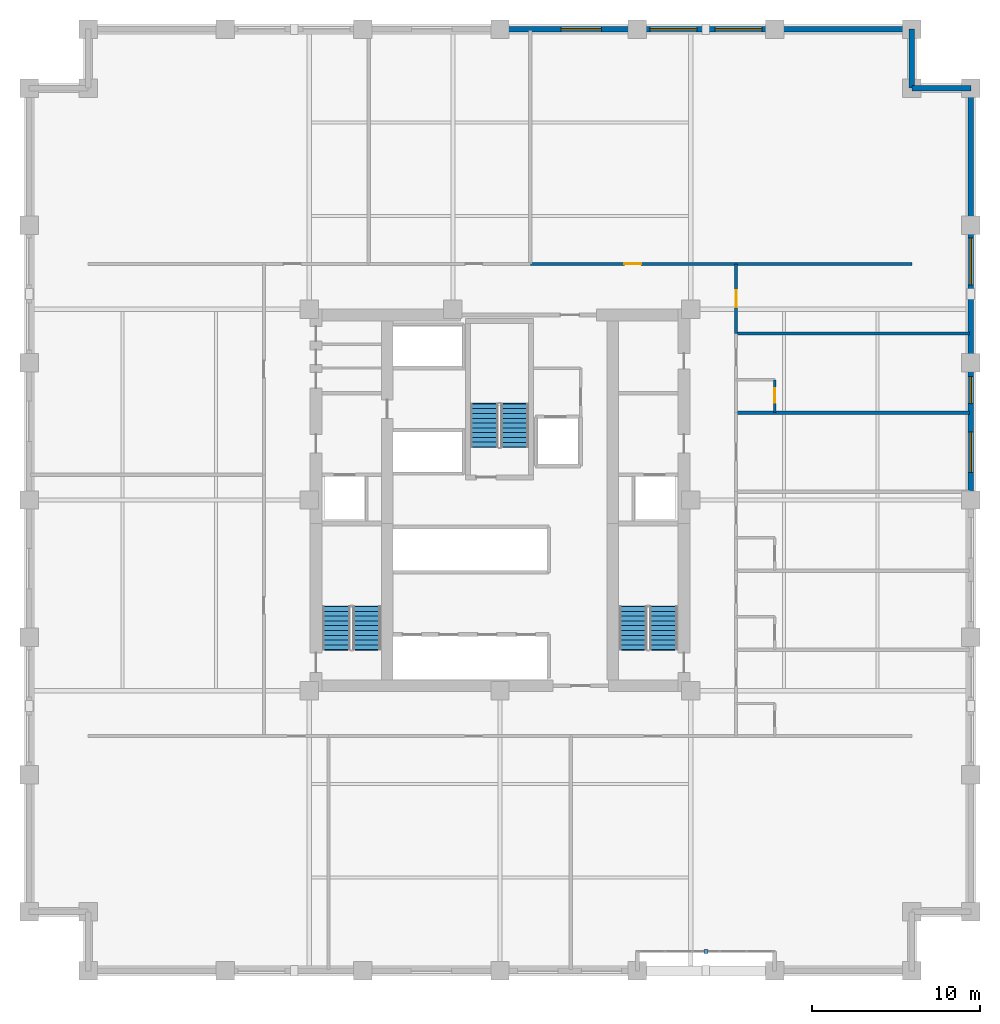
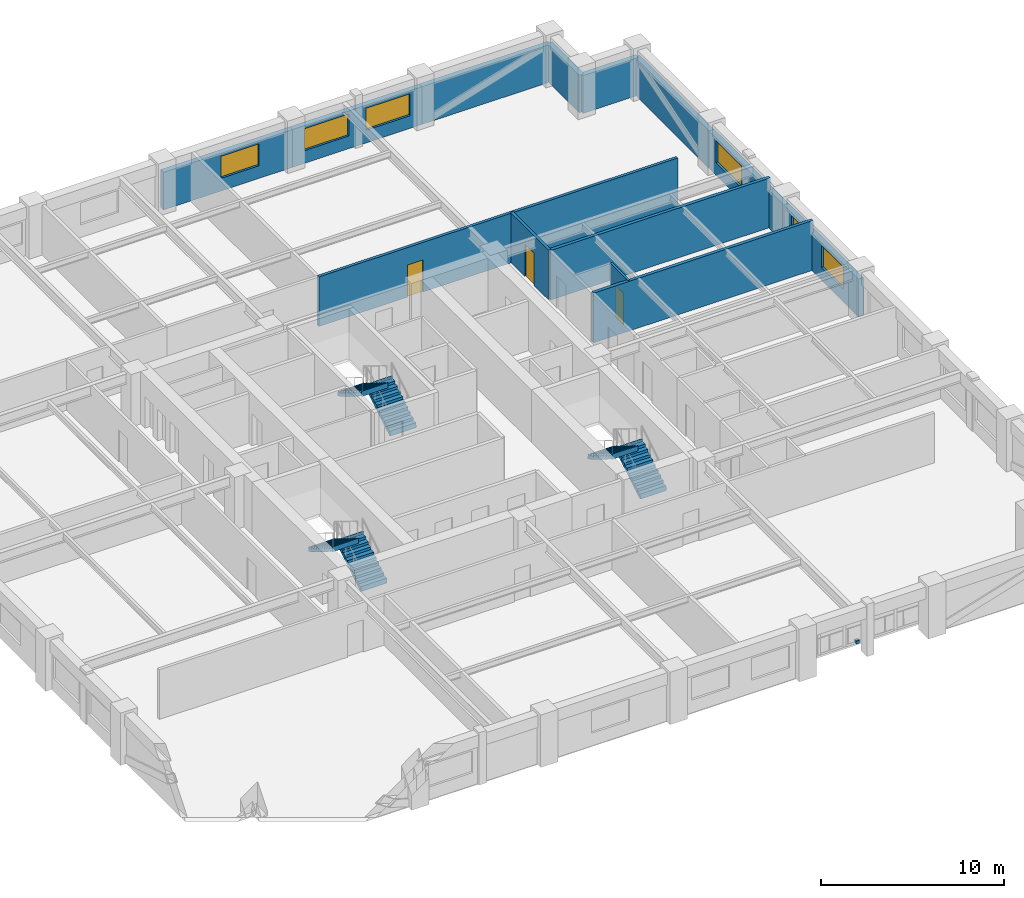
# One storey, part 7 of 9: 13 walls, 6 stair flights, 6 windows, 3 doors, 1 discrete accessory, 9 openings, 3 elements without a shape of their own.
"""IFC4 building model written with IfcOpenShell, lengths in metres."""

from ifc_helpers import new_model, si_unit, direction, frame, frame_2d, origin, origin_2d, place, context, subcontext, project, spatial, polyline, rectangle, outline, extrude, material, layer, layer_set, type_object, element, fill, aggregate, save


model = new_model("IFC4")

# Units and contexts
model_context = context("Model", 3, precision=1e-05, world=origin(), true_north=direction((0.0, 1.0)))
body_context = subcontext(model_context, "Body", "Model", "MODEL_VIEW")
ifc_project = project(units=[si_unit("LENGTHUNIT", "METRE"), si_unit("AREAUNIT", "SQUARE_METRE"), si_unit("VOLUMEUNIT", "CUBIC_METRE"), si_unit("PLANEANGLEUNIT", "RADIAN"), si_unit("MASSUNIT", "GRAM", prefix="KILO")], contexts=[model_context])

# Site, building, storey
site_placement = place(None, origin())
site = spatial("IfcSite", under=ifc_project, at=site_placement, CompositionType="ELEMENT")
building_placement = place(site_placement, origin())
building = spatial("IfcBuilding", under=site, at=building_placement, Name="Nhamokura Convention Tower", CompositionType="ELEMENT")
storey_placement = place(building_placement, frame((0.0, 0.0, 66.85009765625)))
storey = spatial("IfcBuildingStorey", under=building, at=storey_placement, Name="L15", CompositionType="ELEMENT", Elevation=66.85009765625)

# Wall, opening, door
ifc_material_1 = material(Name="Moisture-resistant tile-backer partition", Category="masonry")
ifc_layer_1 = layer(ifc_material_1, 0.139892578125)
ifc_layer_set_1 = layer_set([ifc_layer_1], Name="BathroomWetWall_140")
wall_type_1 = type_object("IfcWallType", Name="BathroomWetWall_140", PredefinedType="STANDARD", material=ifc_layer_set_1)
wall_1_placement = place(storey_placement, frame((48.35009765625, 37.199951171875, 0.0), z_axis=(0.0, 0.0, 1.0), x_axis=(0.0, 1.0, 0.0)))
wall_1 = element("IfcWall", 1, at=wall_1_placement, inside=storey, type_object=wall_type_1, Name="L15 Wall INT-L15-BW-E04E", PredefinedType="STANDARD", context=body_context, shape_type="SweptSolid", body=[
    extrude(rectangle(XDim=1.949951171875, YDim=0.139892578125, at=frame_2d((0.97509765625, 0.0))), origin(), (0.0, 0.0, 1.0), 3.31982421875),
])
opening_1_placement = place(wall_1_placement, frame((0.580078125, 0.0, 0.0)))
opening_1 = element("IfcOpeningElement", 2, at=opening_1_placement, cuts=wall_1, Name="Opening D-11", PredefinedType="OPENING", context=body_context, shape_type="SweptSolid", body=[
    extrude(rectangle(XDim=0.8798828125, YDim=2.10009765625, at=frame_2d((0.43994140625, 1.050048828125))), frame((0.0, 0.079833984375, 0.0), z_axis=(0.0, -1.0, 0.0), x_axis=(1.0, 0.0, 0.0)), (0.0, 0.0, 1.0), 0.159912109375),
])
ifc_material_2 = material(Name="Solid oak hardwood", Category="wood")
door_type_1 = type_object("IfcDoorType", Name="BathroomDoor_880", OperationType="NOTDEFINED", PredefinedType="DOOR", material=ifc_material_2)
door_1_placement = place(opening_1_placement, origin())
door_1 = element("IfcDoor", 3, at=door_1_placement, inside=storey, type_object=door_type_1, Name="L15 Guest Room En-suite Door", OperationType="SINGLE_SWING_LEFT", OverallHeight=2.10009765625, OverallWidth=0.8798828125, PredefinedType="DOOR", context=body_context, shape_type="SweptSolid", body=[
    extrude(rectangle(XDim=0.8798828125, YDim=2.10009765625, at=frame_2d((0.43994140625, 1.050048828125))), frame((0.0, 0.02490234375, 0.0), z_axis=(0.0, -1.0, 0.0), x_axis=(1.0, 0.0, 0.0)), (0.0, 0.0, 1.0), 0.050048828125),
])
fill(opening_1, door_1)

# Wall, opening, window
ifc_material_3 = material(Name="Bronze-pigmented precast concrete C45/55", Category="concrete")
ifc_layer_2 = layer(ifc_material_3, 0.320068359375)
ifc_layer_set_2 = layer_set([ifc_layer_2], Name="BronzePrecastSpandrel_320")
wall_type_2 = type_object("IfcWallType", Name="BronzePrecastSpandrel_320", PredefinedType="USERDEFINED", material=ifc_layer_set_2)
wall_2_placement = place(storey_placement, frame((32.0, 60.0, 0.0), z_axis=(0.0, 0.0, 1.0), x_axis=(1.0, 0.0, 0.0)))
wall_2 = element("IfcWall", 4, at=wall_2_placement, inside=storey, type_object=wall_type_2, Name="L15 Masonry-Frame Wall NORTH 3", ObjectType="SPANDREL_WALL", PredefinedType="USERDEFINED", context=body_context, shape_type="SweptSolid", body=[
    extrude(rectangle(XDim=8.166748046875, YDim=0.320068359375, at=frame_2d((4.08349609375, 0.0))), origin(), (0.0, 0.0, 1.0), 2.52001953125),
])
opening_2_placement = place(wall_2_placement, frame((3.63330078125, 0.0, 0.85009765625)))
opening_2 = element("IfcOpeningElement", 5, at=opening_2_placement, cuts=wall_2, Name="Opening W-03", PredefinedType="OPENING", context=body_context, shape_type="SweptSolid", body=[
    extrude(rectangle(XDim=2.39990234375, YDim=1.469970703125, at=frame_2d((1.199951171875, 0.73486328125))), frame((0.0, 0.169921875, 0.0), z_axis=(0.0, -1.0, 0.0), x_axis=(1.0, 0.0, 0.0)), (0.0, 0.0, 1.0), 0.340087890625),
])
ifc_material_4 = material(Name="Solar-control bronze low-E double glass", Category="glass")
window_type_1 = type_object("IfcWindowType", Name="HotelBayWindow_2400", PartitioningType="DOUBLE_PANEL_VERTICAL", PredefinedType="WINDOW", material=ifc_material_4)
window_1_placement = place(opening_2_placement, origin())
window_1 = element("IfcWindow", 6, at=window_1_placement, inside=storey, type_object=window_type_1, Name="L15 Facade Window NORTH 3-2", OverallHeight=1.469970703125, OverallWidth=2.39990234375, PartitioningType="SINGLE_PANEL", PredefinedType="WINDOW", context=body_context, shape_type="SweptSolid", body=[
    extrude(rectangle(XDim=2.39990234375, YDim=1.469970703125, at=frame_2d((1.199951171875, 0.73486328125))), frame((0.0, 0.030029296875, 0.0), z_axis=(0.0, -1.0, 0.0), x_axis=(1.0, 0.0, 0.0)), (0.0, 0.0, 1.0), 0.06005859375),
])
fill(opening_2, window_1)

# Wall, openings, windows
wall_3_placement = place(storey_placement, frame((40.166748046875, 60.0, 0.0), z_axis=(0.0, 0.0, 1.0), x_axis=(1.0, 0.0, 0.0)))
wall_3 = element("IfcWall", 7, at=wall_3_placement, inside=storey, type_object=wall_type_2, Name="L15 Masonry-Frame Wall NORTH 4", ObjectType="SPANDREL_WALL", PredefinedType="USERDEFINED", context=body_context, shape_type="SweptSolid", body=[
    extrude(rectangle(XDim=8.16650390625, YDim=0.320068359375, at=frame_2d((4.083251953125, 0.0))), origin(), (0.0, 0.0, 1.0), 2.52001953125),
])
opening_3_placement = place(wall_3_placement, frame((0.74169921875, 0.0, 0.85009765625)))
opening_3 = element("IfcOpeningElement", 8, at=opening_3_placement, cuts=wall_3, Name="Opening W-04", PredefinedType="OPENING", context=body_context, shape_type="SweptSolid", body=[
    extrude(rectangle(XDim=2.800048828125, YDim=1.469970703125, at=frame_2d((1.39990234375, 0.73486328125))), frame((0.0, 0.169921875, 0.0), z_axis=(0.0, -1.0, 0.0), x_axis=(1.0, 0.0, 0.0)), (0.0, 0.0, 1.0), 0.340087890625),
])
opening_4_placement = place(wall_3_placement, frame((4.625, 0.0, 0.85009765625)))
opening_4 = element("IfcOpeningElement", 9, at=opening_4_placement, cuts=wall_3, Name="Opening W-04", PredefinedType="OPENING", context=body_context, shape_type="SweptSolid", body=[
    extrude(rectangle(XDim=2.800048828125, YDim=1.469970703125, at=frame_2d((1.39990234375, 0.73486328125))), frame((0.0, 0.169921875, 0.0), z_axis=(0.0, -1.0, 0.0), x_axis=(1.0, 0.0, 0.0)), (0.0, 0.0, 1.0), 0.340087890625),
])
ifc_material_5 = material(Name="Solar-control bronze low-E double glass", Category="glass")
window_type_2 = type_object("IfcWindowType", Name="HotelSuiteWindow_2800", PartitioningType="DOUBLE_PANEL_VERTICAL", PredefinedType="WINDOW", material=ifc_material_5)
window_2_placement = place(opening_3_placement, origin())
window_2 = element("IfcWindow", 10, at=window_2_placement, inside=storey, type_object=window_type_2, Name="L15 Facade Window NORTH 4-1", OverallHeight=1.469970703125, OverallWidth=2.800048828125, PartitioningType="SINGLE_PANEL", PredefinedType="WINDOW", context=body_context, shape_type="SweptSolid", body=[
    extrude(rectangle(XDim=2.800048828125, YDim=1.469970703125, at=frame_2d((1.39990234375, 0.73486328125))), frame((0.0, 0.030029296875, 0.0), z_axis=(0.0, -1.0, 0.0), x_axis=(1.0, 0.0, 0.0)), (0.0, 0.0, 1.0), 0.06005859375),
])
fill(opening_3, window_2)
window_3_placement = place(opening_4_placement, origin())
window_3 = element("IfcWindow", 11, at=window_3_placement, inside=storey, type_object=window_type_2, Name="L15 Facade Window NORTH 4-2", OverallHeight=1.469970703125, OverallWidth=2.800048828125, PartitioningType="SINGLE_PANEL", PredefinedType="WINDOW", context=body_context, shape_type="SweptSolid", body=[
    extrude(rectangle(XDim=2.800048828125, YDim=1.469970703125, at=frame_2d((1.39990234375, 0.73486328125))), frame((0.0, 0.030029296875, 0.0), z_axis=(0.0, -1.0, 0.0), x_axis=(1.0, 0.0, 0.0)), (0.0, 0.0, 1.0), 0.06005859375),
])
fill(opening_4, window_3)

# Wall
wall_4_placement = place(storey_placement, frame((48.333251953125, 60.0, 0.0), z_axis=(0.0, 0.0, 1.0), x_axis=(1.0, 0.0, 0.0)))
element("IfcWall", 12, at=wall_4_placement, inside=storey, type_object=wall_type_2, Name="L15 Braced-Bay Precast Wall NORTH 5", ObjectType="SPANDREL_WALL", PredefinedType="USERDEFINED", context=body_context, shape_type="SweptSolid", body=[
    extrude(rectangle(XDim=8.166748046875, YDim=0.320068359375, at=frame_2d((4.08349609375, 0.0))), origin(), (0.0, 0.0, 1.0), 2.52001953125),
])

# Wall, openings, windows
wall_5_placement = place(storey_placement, frame((60.0, 40.166748046875, 0.0), z_axis=(0.0, 0.0, 1.0), x_axis=(0.0, -1.0, 0.0)))
wall_5 = element("IfcWall", 13, at=wall_5_placement, inside=storey, type_object=wall_type_2, Name="L15 Masonry-Frame Wall EAST 3", ObjectType="SPANDREL_WALL", PredefinedType="USERDEFINED", context=body_context, shape_type="SweptSolid", body=[
    extrude(rectangle(XDim=8.166748046875, YDim=0.320068359375, at=frame_2d((4.08349609375, 0.0))), origin(), (0.0, 0.0, 1.0), 2.52001953125),
])
opening_5_placement = place(wall_5_placement, frame((0.833251953125, 0.0, 0.85009765625)))
opening_5 = element("IfcOpeningElement", 14, at=opening_5_placement, cuts=wall_5, Name="Opening W-11", PredefinedType="OPENING", context=body_context, shape_type="SweptSolid", body=[
    extrude(rectangle(XDim=1.60009765625, YDim=1.469970703125, at=frame_2d((0.800048828125, 0.73486328125))), frame((0.0, 0.169921875, 0.0), z_axis=(0.0, -1.0, 0.0), x_axis=(1.0, 0.0, 0.0)), (0.0, 0.0, 1.0), 0.340087890625),
])
opening_6_placement = place(wall_5_placement, frame((4.11669921875, 0.0, 0.85009765625)))
opening_6 = element("IfcOpeningElement", 15, at=opening_6_placement, cuts=wall_5, Name="Opening W-03", PredefinedType="OPENING", context=body_context, shape_type="SweptSolid", body=[
    extrude(rectangle(XDim=2.39990234375, YDim=1.469970703125, at=frame_2d((1.199951171875, 0.73486328125))), frame((0.0, 0.169921875, 0.0), z_axis=(0.0, -1.0, 0.0), x_axis=(1.0, 0.0, 0.0)), (0.0, 0.0, 1.0), 0.340087890625),
])
window_4_placement = place(opening_6_placement, origin())
window_4 = element("IfcWindow", 16, at=window_4_placement, inside=storey, type_object=window_type_1, Name="L15 Facade Window EAST 3-2", OverallHeight=1.469970703125, OverallWidth=2.39990234375, PartitioningType="SINGLE_PANEL", PredefinedType="WINDOW", context=body_context, shape_type="SweptSolid", body=[
    extrude(rectangle(XDim=2.39990234375, YDim=1.469970703125, at=frame_2d((1.199951171875, 0.73486328125))), frame((0.0, 0.030029296875, 0.0), z_axis=(0.0, -1.0, 0.0), x_axis=(1.0, 0.0, 0.0)), (0.0, 0.0, 1.0), 0.06005859375),
])
fill(opening_6, window_4)
ifc_material_6 = material(Name="Solar-control bronze low-E double glass", Category="glass")
window_type_3 = type_object("IfcWindowType", Name="NotchCornerWindow_1600", PartitioningType="SINGLE_PANEL", PredefinedType="WINDOW", material=ifc_material_6)
window_5_placement = place(opening_5_placement, origin())
window_5 = element("IfcWindow", 17, at=window_5_placement, inside=storey, type_object=window_type_3, Name="L15 Facade Window EAST 3-1", OverallHeight=1.469970703125, OverallWidth=1.60009765625, PartitioningType="SINGLE_PANEL", PredefinedType="WINDOW", context=body_context, shape_type="SweptSolid", body=[
    extrude(rectangle(XDim=1.60009765625, YDim=1.469970703125, at=frame_2d((0.800048828125, 0.73486328125))), frame((0.0, 0.030029296875, 0.0), z_axis=(0.0, -1.0, 0.0), x_axis=(1.0, 0.0, 0.0)), (0.0, 0.0, 1.0), 0.06005859375),
])
fill(opening_5, window_5)

# Wall, opening, window
wall_6_placement = place(storey_placement, frame((60.0, 48.333251953125, 0.0), z_axis=(0.0, 0.0, 1.0), x_axis=(0.0, -1.0, 0.0)))
wall_6 = element("IfcWall", 18, at=wall_6_placement, inside=storey, type_object=wall_type_2, Name="L15 Masonry-Frame Wall EAST 4", ObjectType="SPANDREL_WALL", PredefinedType="USERDEFINED", context=body_context, shape_type="SweptSolid", body=[
    extrude(rectangle(XDim=8.16650390625, YDim=0.320068359375, at=frame_2d((4.083251953125, 0.0))), origin(), (0.0, 0.0, 1.0), 2.52001953125),
])
opening_7_placement = place(wall_6_placement, frame((0.74169921875, 0.0, 0.85009765625)))
opening_7 = element("IfcOpeningElement", 19, at=opening_7_placement, cuts=wall_6, Name="Opening W-04", PredefinedType="OPENING", context=body_context, shape_type="SweptSolid", body=[
    extrude(rectangle(XDim=2.800048828125, YDim=1.469970703125, at=frame_2d((1.39990234375, 0.73486328125))), frame((0.0, 0.169921875, 0.0), z_axis=(0.0, -1.0, 0.0), x_axis=(1.0, 0.0, 0.0)), (0.0, 0.0, 1.0), 0.340087890625),
])
window_6_placement = place(opening_7_placement, origin())
window_6 = element("IfcWindow", 20, at=window_6_placement, inside=storey, type_object=window_type_2, Name="L15 Facade Window EAST 4-1", OverallHeight=1.469970703125, OverallWidth=2.800048828125, PartitioningType="SINGLE_PANEL", PredefinedType="WINDOW", context=body_context, shape_type="SweptSolid", body=[
    extrude(rectangle(XDim=2.800048828125, YDim=1.469970703125, at=frame_2d((1.39990234375, 0.73486328125))), frame((0.0, 0.030029296875, 0.0), z_axis=(0.0, -1.0, 0.0), x_axis=(1.0, 0.0, 0.0)), (0.0, 0.0, 1.0), 0.06005859375),
])
fill(opening_7, window_6)

# Walls
wall_7_placement = place(storey_placement, frame((60.0, 56.5, 0.0), z_axis=(0.0, 0.0, 1.0), x_axis=(0.0, -1.0, 0.0)))
element("IfcWall", 21, at=wall_7_placement, inside=storey, type_object=wall_type_2, Name="L15 Braced-Bay Precast Wall EAST 5", ObjectType="SPANDREL_WALL", PredefinedType="USERDEFINED", context=body_context, shape_type="SweptSolid", body=[
    extrude(rectangle(XDim=8.166748046875, YDim=0.320068359375, at=frame_2d((4.08349609375, 0.0))), origin(), (0.0, 0.0, 1.0), 2.52001953125),
])
for number, where, z_axis, x_axis, name in (
    (22, (56.5, 56.5, 0.0), (0.0, 0.0, 1.0), (1.0, 0.0, 0.0), "L15 Notched Corner Wall NE1"),
    (23, (56.5, 60.0, 0.0), (0.0, 0.0, 1.0), (0.0, -1.0, 0.0), "L15 Notched Corner Wall NE2"),
):
    element("IfcWall", number, at=place(storey_placement, frame(where, z_axis=z_axis, x_axis=x_axis)), inside=storey, type_object=wall_type_2, Name=name, ObjectType="SPANDREL_WALL", PredefinedType="USERDEFINED", context=body_context, shape_type="SweptSolid", body=[
        extrude(rectangle(XDim=3.5, YDim=0.320068359375, at=frame_2d((1.75, 0.0))), origin(), (0.0, 0.0, 1.0), 2.52001953125),
    ])

# Wall, opening, door
ifc_material_7 = material(Name="Fire-rated gypsum and masonry partition", Category="masonry")
ifc_layer_3 = layer(ifc_material_7, 0.179931640625)
ifc_layer_set_3 = layer_set([ifc_layer_3], Name="CorridorRatedWall_180")
wall_type_3 = type_object("IfcWallType", Name="CorridorRatedWall_180", PredefinedType="STANDARD", material=ifc_layer_set_3)
wall_8_placement = place(storey_placement, frame((33.800048828125, 46.050048828125, 0.0), z_axis=(0.0, 0.0, 1.0), x_axis=(1.0, 0.0, 0.0)))
wall_8 = element("IfcWall", 24, at=wall_8_placement, inside=storey, type_object=wall_type_3, Name="L15 Wall INT-L15-CW-N02", PredefinedType="STANDARD", context=body_context, shape_type="SweptSolid", body=[
    extrude(rectangle(XDim=22.699951171875, YDim=0.179931640625, at=frame_2d((11.35009765625, 0.0))), origin(), (0.0, 0.0, 1.0), 3.31982421875),
])
opening_8_placement = place(wall_8_placement, frame((5.60009765625, 0.0, 0.0)))
opening_8 = element("IfcOpeningElement", 25, at=opening_8_placement, cuts=wall_8, Name="Opening D-07", PredefinedType="OPENING", context=body_context, shape_type="SweptSolid", body=[
    extrude(rectangle(XDim=1.0, YDim=2.14990234375, at=frame_2d((0.5, 1.074951171875))), frame((0.0, 0.099853515625, 0.0), z_axis=(0.0, -1.0, 0.0), x_axis=(1.0, 0.0, 0.0)), (0.0, 0.0, 1.0), 0.199951171875),
])
ifc_material_8 = material(Name="Solid oak hardwood", Category="wood")
door_type_2 = type_object("IfcDoorType", Name="HotelSuiteEntryDoor_1000", OperationType="NOTDEFINED", PredefinedType="DOOR", material=ifc_material_8)
door_2_placement = place(opening_8_placement, origin())
door_2 = element("IfcDoor", 26, at=door_2_placement, inside=storey, type_object=door_type_2, Name="L15 Conference Salon N03 Door", OperationType="SINGLE_SWING_LEFT", OverallHeight=2.14990234375, OverallWidth=1.0, PredefinedType="DOOR", context=body_context, shape_type="SweptSolid", body=[
    extrude(rectangle(XDim=1.0, YDim=2.14990234375, at=frame_2d((0.5, 1.074951171875))), frame((0.0, 0.02490234375, 0.0), z_axis=(0.0, -1.0, 0.0), x_axis=(1.0, 0.0, 0.0)), (0.0, 0.0, 1.0), 0.050048828125),
])
fill(opening_8, door_2)

wall_9_placement = place(storey_placement, frame((46.050048828125, 41.89990234375, 0.0), z_axis=(0.0, 0.0, 1.0), x_axis=(0.0, 1.0, 0.0)))
wall_9 = element("IfcWall", 27, at=wall_9_placement, inside=storey, type_object=wall_type_3, Name="L15 Wall INT-L15-CW-E05", PredefinedType="STANDARD", context=body_context, shape_type="SweptSolid", body=[
    extrude(rectangle(XDim=4.150146484375, YDim=0.179931640625, at=frame_2d((2.0751953125, 0.0))), origin(), (0.0, 0.0, 1.0), 3.31982421875),
])
opening_9_placement = place(wall_9_placement, frame((1.574951171875, 0.0, 0.0)))
opening_9 = element("IfcOpeningElement", 28, at=opening_9_placement, cuts=wall_9, Name="Opening D-07", PredefinedType="OPENING", context=body_context, shape_type="SweptSolid", body=[
    extrude(rectangle(XDim=1.0, YDim=2.14990234375, at=frame_2d((0.5, 1.074951171875))), frame((0.0, 0.099853515625, 0.0), z_axis=(0.0, -1.0, 0.0), x_axis=(1.0, 0.0, 0.0)), (0.0, 0.0, 1.0), 0.199951171875),
])
door_3_placement = place(opening_9_placement, origin())
door_3 = element("IfcDoor", 29, at=door_3_placement, inside=storey, type_object=door_type_2, Name="L15 Service Linen Room E06 Door", OperationType="SINGLE_SWING_RIGHT", OverallHeight=2.14990234375, OverallWidth=1.0, PredefinedType="DOOR", context=body_context, shape_type="SweptSolid", body=[
    extrude(rectangle(XDim=1.0, YDim=2.14990234375, at=frame_2d((0.5, 1.074951171875))), frame((0.0, 0.02490234375, 0.0), z_axis=(0.0, -1.0, 0.0), x_axis=(1.0, 0.0, 0.0)), (0.0, 0.0, 1.0), 0.050048828125),
])
fill(opening_9, door_3)

# Walls
ifc_material_9 = material(Name="Acoustic twin-stud gypsum partition", Category="masonry")
ifc_layer_4 = layer(ifc_material_9, 0.199951171875)
ifc_layer_set_4 = layer_set([ifc_layer_4], Name="HotelDemisingWall_200")
wall_type_4 = type_object("IfcWallType", Name="HotelDemisingWall_200", PredefinedType="STANDARD", material=ifc_layer_set_4)
for number, where, z_axis, x_axis, name in (
    (30, (46.050048828125, 37.199951171875, 0.0), (0.0, 0.0, 1.0), (1.0, 0.0, 0.0), "L15 Wall INT-L15-RW-E04"),
    (31, (46.050048828125, 41.89990234375, 0.0), (0.0, 0.0, 1.0), (1.0, 0.0, 0.0), "L15 Wall INT-L15-RW-E05"),
):
    element("IfcWall", number, at=place(storey_placement, frame(where, z_axis=z_axis, x_axis=x_axis)), inside=storey, type_object=wall_type_4, Name=name, PredefinedType="STANDARD", context=body_context, shape_type="SweptSolid", body=[
        extrude(rectangle(XDim=13.889892578125, YDim=0.199951171875, at=frame_2d((6.94482421875, 0.0))), origin(), (0.0, 0.0, 1.0), 3.31982421875),
    ])

# Stair, stair flights
ifc_material_10 = material(Name="Concrete C40/50", Category="concrete")
stair_type = type_object("IfcStairType", Name="TowerCoreStair_1650", PredefinedType="HALF_TURN_STAIR", material=ifc_material_10)
stair_1_placement = place(storey_placement, origin())
stair_1 = element("IfcStair", 32, at=stair_1_placement, inside=storey, type_object=stair_type, Name="L15 West Core Smokeproof Stair ST-01", PredefinedType="HALF_TURN_STAIR")
ifc_material_11 = material(Name="Concrete C40/50", Category="concrete")
stair_flight_type = type_object("IfcStairFlightType", Name="TowerCoreStair_1650_Flight", PredefinedType="STRAIGHT", material=ifc_material_11)
stair_flight_1_placement = place(storey_placement, frame((24.074951171875, 23.10009765625, 0.0), z_axis=(0.0, 0.0, 1.0), x_axis=(0.0, 1.0, 0.0)))
stair_flight_1 = element("IfcStairFlight", 33, at=stair_flight_1_placement, type_object=stair_flight_type, Name="ST-01 flight 1", NumberOfRisers=10, NumberOfTreads=9, PredefinedType="STRAIGHT", RiserHeight=0.175, TreadLength=0.285, context=body_context, shape_type="SweptSolid", body=[
    extrude(outline(polyline([(-0.0419921875, 0.0), (0.0, 0.175048828125), (0.284912109375, 0.175048828125), (0.284912109375, 0.35009765625), (0.570068359375, 0.35009765625), (0.570068359375, 0.52490234375), (0.85498046875, 0.52490234375), (0.85498046875, 0.699951171875), (1.139892578125, 0.699951171875), (1.139892578125, 0.875), (1.425048828125, 0.875), (1.425048828125, 1.050048828125), (1.7099609375, 1.050048828125), (1.7099609375, 1.22509765625), (1.9951171875, 1.22509765625), (1.9951171875, 1.39990234375), (2.280029296875, 1.39990234375), (2.280029296875, 1.574951171875), (2.56494140625, 1.574951171875), (2.56494140625, 1.75), (2.60693359375, 1.75), (2.60693359375, 1.399169921875), (2.56494140625, 1.399169921875), (0.286376953125, 0.0), (0.02001953125, -0.1298828125), (-0.0419921875, -0.1298828125), (-0.0419921875, 0.0)])), frame((0.0, 0.824951171875, 0.0), z_axis=(0.0, -1.0, 0.0), x_axis=(1.0, 0.0, 0.0)), (0.0, 0.0, 1.0), 1.64990234375),
])
stair_flight_2_placement = place(storey_placement, frame((22.27490234375, 25.6650390625, 1.75), z_axis=(0.0, 0.0, 1.0), x_axis=(0.0, -1.0, 0.0)))
stair_flight_2 = element("IfcStairFlight", 34, at=stair_flight_2_placement, type_object=stair_flight_type, Name="ST-01 flight 2", NumberOfRisers=10, NumberOfTreads=9, PredefinedType="STRAIGHT", RiserHeight=0.175, TreadLength=0.285, context=body_context, shape_type="SweptSolid", body=[
    extrude(outline(polyline([(-0.0419921875, 0.0), (0.0, 0.175048828125), (0.284912109375, 0.175048828125), (0.284912109375, 0.35009765625), (0.570068359375, 0.35009765625), (0.570068359375, 0.52490234375), (0.85498046875, 0.52490234375), (0.85498046875, 0.699951171875), (1.139892578125, 0.699951171875), (1.139892578125, 0.875), (1.425048828125, 0.875), (1.425048828125, 1.050048828125), (1.7099609375, 1.050048828125), (1.7099609375, 1.22509765625), (1.9951171875, 1.22509765625), (1.9951171875, 1.39990234375), (2.280029296875, 1.39990234375), (2.280029296875, 1.574951171875), (2.56494140625, 1.574951171875), (2.56494140625, 1.75), (2.60693359375, 1.75), (2.60693359375, 1.399169921875), (2.56494140625, 1.399169921875), (0.286376953125, 0.0), (0.02001953125, -0.1298828125), (-0.0419921875, -0.1298828125), (-0.0419921875, 0.0)])), frame((0.0, 0.824951171875, 0.0), z_axis=(0.0, -1.0, 0.0), x_axis=(1.0, 0.0, 0.0)), (0.0, 0.0, 1.0), 1.64990234375),
])
aggregate(stair_1, [stair_flight_1, stair_flight_2])

stair_2_placement = place(storey_placement, origin())
stair_2 = element("IfcStair", 35, at=stair_2_placement, inside=storey, type_object=stair_type, Name="L15 East Core Smokeproof Stair ST-02", PredefinedType="HALF_TURN_STAIR")
stair_flight_3_placement = place(storey_placement, frame((41.72509765625, 23.10009765625, 0.0), z_axis=(0.0, 0.0, 1.0), x_axis=(0.0, 1.0, 0.0)))
stair_flight_3 = element("IfcStairFlight", 36, at=stair_flight_3_placement, type_object=stair_flight_type, Name="ST-02 flight 1", NumberOfRisers=10, NumberOfTreads=9, PredefinedType="STRAIGHT", RiserHeight=0.175, TreadLength=0.285, context=body_context, shape_type="SweptSolid", body=[
    extrude(outline(polyline([(-0.0419921875, 0.0), (0.0, 0.175048828125), (0.284912109375, 0.175048828125), (0.284912109375, 0.35009765625), (0.570068359375, 0.35009765625), (0.570068359375, 0.52490234375), (0.85498046875, 0.52490234375), (0.85498046875, 0.699951171875), (1.139892578125, 0.699951171875), (1.139892578125, 0.875), (1.425048828125, 0.875), (1.425048828125, 1.050048828125), (1.7099609375, 1.050048828125), (1.7099609375, 1.22509765625), (1.9951171875, 1.22509765625), (1.9951171875, 1.39990234375), (2.280029296875, 1.39990234375), (2.280029296875, 1.574951171875), (2.56494140625, 1.574951171875), (2.56494140625, 1.75), (2.60693359375, 1.75), (2.60693359375, 1.399169921875), (2.56494140625, 1.399169921875), (0.286376953125, 0.0), (0.02001953125, -0.1298828125), (-0.0419921875, -0.1298828125), (-0.0419921875, 0.0)])), frame((0.0, 0.824951171875, 0.0), z_axis=(0.0, -1.0, 0.0), x_axis=(1.0, 0.0, 0.0)), (0.0, 0.0, 1.0), 1.64990234375),
])
stair_flight_4_placement = place(storey_placement, frame((39.925048828125, 25.6650390625, 1.75), z_axis=(0.0, 0.0, 1.0), x_axis=(0.0, -1.0, 0.0)))
stair_flight_4 = element("IfcStairFlight", 37, at=stair_flight_4_placement, type_object=stair_flight_type, Name="ST-02 flight 2", NumberOfRisers=10, NumberOfTreads=9, PredefinedType="STRAIGHT", RiserHeight=0.175, TreadLength=0.285, context=body_context, shape_type="SweptSolid", body=[
    extrude(outline(polyline([(-0.0419921875, 0.0), (0.0, 0.175048828125), (0.284912109375, 0.175048828125), (0.284912109375, 0.35009765625), (0.570068359375, 0.35009765625), (0.570068359375, 0.52490234375), (0.85498046875, 0.52490234375), (0.85498046875, 0.699951171875), (1.139892578125, 0.699951171875), (1.139892578125, 0.875), (1.425048828125, 0.875), (1.425048828125, 1.050048828125), (1.7099609375, 1.050048828125), (1.7099609375, 1.22509765625), (1.9951171875, 1.22509765625), (1.9951171875, 1.39990234375), (2.280029296875, 1.39990234375), (2.280029296875, 1.574951171875), (2.56494140625, 1.574951171875), (2.56494140625, 1.75), (2.60693359375, 1.75), (2.60693359375, 1.399169921875), (2.56494140625, 1.399169921875), (0.286376953125, 0.0), (0.02001953125, -0.1298828125), (-0.0419921875, -0.1298828125), (-0.0419921875, 0.0)])), frame((0.0, 0.824951171875, 0.0), z_axis=(0.0, -1.0, 0.0), x_axis=(1.0, 0.0, 0.0)), (0.0, 0.0, 1.0), 1.64990234375),
])
aggregate(stair_2, [stair_flight_3, stair_flight_4])

stair_3_placement = place(storey_placement, origin())
stair_3 = element("IfcStair", 38, at=stair_3_placement, inside=storey, type_object=stair_type, Name="L15 North Core Smokeproof Stair ST-03", PredefinedType="HALF_TURN_STAIR")
stair_flight_5_placement = place(storey_placement, frame((32.875, 35.14990234375, 0.0), z_axis=(0.0, 0.0, 1.0), x_axis=(0.0, 1.0, 0.0)))
stair_flight_5 = element("IfcStairFlight", 39, at=stair_flight_5_placement, type_object=stair_flight_type, Name="ST-03 flight 1", NumberOfRisers=10, NumberOfTreads=9, PredefinedType="STRAIGHT", RiserHeight=0.175, TreadLength=0.285, context=body_context, shape_type="SweptSolid", body=[
    extrude(outline(polyline([(-0.0419921875, 0.0), (0.0, 0.175048828125), (0.284912109375, 0.175048828125), (0.284912109375, 0.35009765625), (0.570068359375, 0.35009765625), (0.570068359375, 0.52490234375), (0.85498046875, 0.52490234375), (0.85498046875, 0.699951171875), (1.139892578125, 0.699951171875), (1.139892578125, 0.875), (1.425048828125, 0.875), (1.425048828125, 1.050048828125), (1.7099609375, 1.050048828125), (1.7099609375, 1.22509765625), (1.9951171875, 1.22509765625), (1.9951171875, 1.39990234375), (2.280029296875, 1.39990234375), (2.280029296875, 1.574951171875), (2.56494140625, 1.574951171875), (2.56494140625, 1.75), (2.60693359375, 1.75), (2.60693359375, 1.399169921875), (2.56494140625, 1.399169921875), (0.286376953125, 0.0), (0.02001953125, -0.1298828125), (-0.0419921875, -0.1298828125), (-0.0419921875, 0.0)])), frame((0.0, 0.824951171875, 0.0), z_axis=(0.0, -1.0, 0.0), x_axis=(1.0, 0.0, 0.0)), (0.0, 0.0, 1.0), 1.64990234375),
])
stair_flight_6_placement = place(storey_placement, frame((31.074951171875, 37.715087890625, 1.75), z_axis=(0.0, 0.0, 1.0), x_axis=(0.0, -1.0, 0.0)))
stair_flight_6 = element("IfcStairFlight", 40, at=stair_flight_6_placement, type_object=stair_flight_type, Name="ST-03 flight 2", NumberOfRisers=10, NumberOfTreads=9, PredefinedType="STRAIGHT", RiserHeight=0.175, TreadLength=0.285, context=body_context, shape_type="SweptSolid", body=[
    extrude(outline(polyline([(-0.0419921875, 0.0), (0.0, 0.175048828125), (0.284912109375, 0.175048828125), (0.284912109375, 0.35009765625), (0.570068359375, 0.35009765625), (0.570068359375, 0.52490234375), (0.85498046875, 0.52490234375), (0.85498046875, 0.699951171875), (1.139892578125, 0.699951171875), (1.139892578125, 0.875), (1.425048828125, 0.875), (1.425048828125, 1.050048828125), (1.7099609375, 1.050048828125), (1.7099609375, 1.22509765625), (1.9951171875, 1.22509765625), (1.9951171875, 1.39990234375), (2.280029296875, 1.39990234375), (2.280029296875, 1.574951171875), (2.56494140625, 1.574951171875), (2.56494140625, 1.75), (2.60693359375, 1.75), (2.60693359375, 1.399169921875), (2.56494140625, 1.399169921875), (0.286376953125, 0.0), (0.02001953125, -0.1298828125), (-0.0419921875, -0.1298828125), (-0.0419921875, 0.0)])), frame((0.0, 0.824951171875, 0.0), z_axis=(0.0, -1.0, 0.0), x_axis=(1.0, 0.0, 0.0)), (0.0, 0.0, 1.0), 1.64990234375),
])
aggregate(stair_3, [stair_flight_5, stair_flight_6])

# Discrete accessory
ifc_material_12 = material(Name="Steel ASTM A572 Gr 50", Category="steel")
discrete_accessory_type = type_object("IfcDiscreteAccessoryType", Name="FacadeOutstandBracket", PredefinedType="BRACKET", material=ifc_material_12)
discrete_accessory_placement = place(storey_placement, frame((44.25, 5.14990234375, -0.02001953125), z_axis=(0.0, 0.0, 1.0), x_axis=(1.0, 0.0, 0.0)))
element("IfcDiscreteAccessory", 41, at=discrete_accessory_placement, inside=storey, type_object=discrete_accessory_type, Name="L15 Scale Slot Base Shoe Bracket SOUTH 4", PredefinedType="BRACKET", context=body_context, shape_type="SweptSolid", body=[
    extrude(rectangle(XDim=0.219970703125, YDim=0.219970703125, at=origin_2d()), origin(), (0.0, 0.0, 1.0), 0.199951171875),
])

save(model, "model.ifc")
